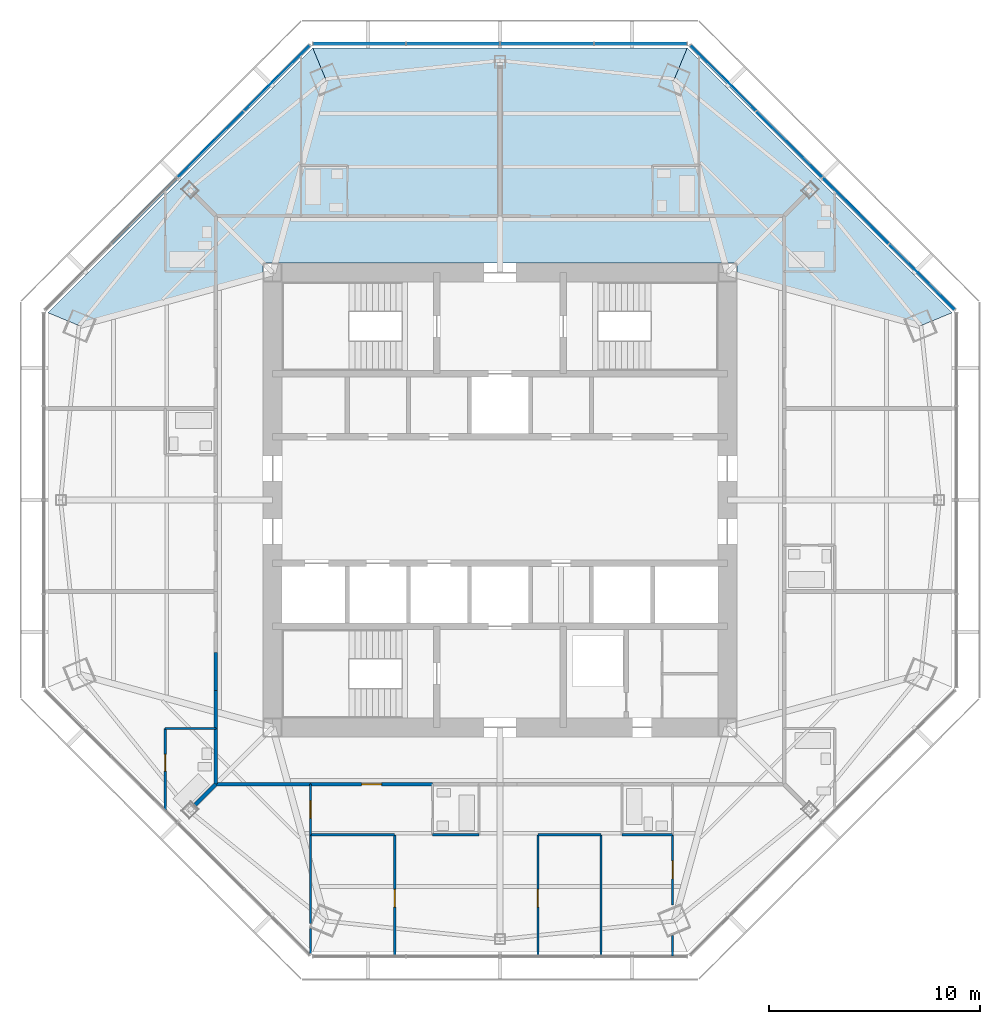
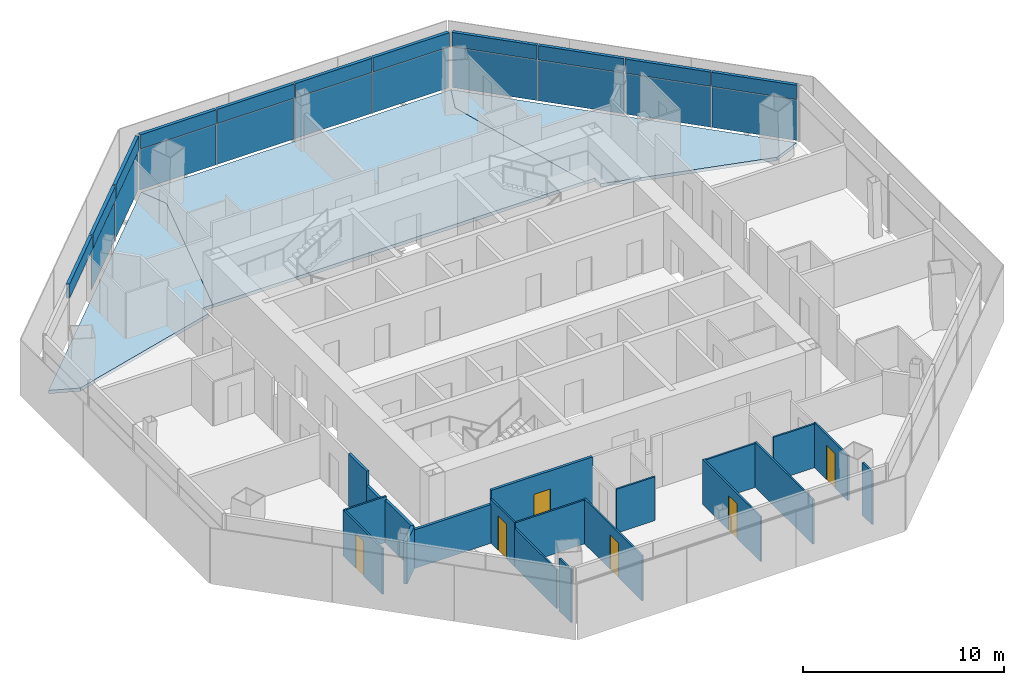
# One storey, part 8 of 15: 21 plates, 20 walls, 6 doors, 3 slabs, 6 openings, 3 elements without a shape of their own.
"""IFC4 building model written with IfcOpenShell, lengths in metres."""

import ifcopenshell
import ifcopenshell.guid

model = None  # the IFC model being written
_history = None  # IfcOwnerHistory: only IFC2X3 demands one
_inside = {}  # id of a spatial element -> (the spatial element, [elements in it])
_under = {}  # id of a project, library or spatial element -> (it, [spatial elements below it])
_declared = {}  # id of a project -> (the project, [libraries it declares])
_typed = {}  # id of a type object -> (the type object, [elements of that type])
_made_of = {}  # id of a material, layer set ... -> (it, [elements and type objects made of it])


def new_model(schema):
    """Start an empty IFC model of exactly this schema.

    Asked for "IFC4X3", IfcOpenShell would pick the latest addendum, in which some entities
    have other attributes; the version numbers below select the first issue.
    IFC2X3 requires an IfcOwnerHistory on every rooted entity: one is made here for all.
    """
    global model, _history
    if schema == "IFC4X3":
        model = ifcopenshell.file(schema_version=(4, 3, 0, 0))
    else:
        model = ifcopenshell.file(schema=schema)
    _inside.clear()
    _under.clear()
    _declared.clear()
    _typed.clear()
    _made_of.clear()
    _history = None
    if model.schema == "IFC2X3":
        org = make("IfcOrganization", Name="unknown")
        user = make(
            "IfcPersonAndOrganization",
            ThePerson=make("IfcPerson", FamilyName="unknown"),
            TheOrganization=org,
        )
        app = make(
            "IfcApplication",
            ApplicationDeveloper=org,
            Version="unknown",
            ApplicationFullName="unknown",
            ApplicationIdentifier="unknown",
        )
        _history = make(
            "IfcOwnerHistory",
            OwningUser=user,
            OwningApplication=app,
            ChangeAction="ADDED",
            CreationDate=0,
        )
    return model


def make(cls, **values):
    """One entity of the class cls with the attributes given. An attribute that is None is left unset."""
    return model.create_entity(
        cls, **{name: value for name, value in values.items() if value is not None}
    )


def rooted(cls, **values):
    """An entity with a GlobalId (a new one), such as an element, a storey or a relation."""
    return make(cls, GlobalId=ifcopenshell.guid.new(), OwnerHistory=_history, **values)


def si_unit(unit_type, name, prefix=None):
    """IfcSIUnit, for example si_unit("LENGTHUNIT", "METRE", prefix="MILLI")."""
    return make("IfcSIUnit", UnitType=unit_type, Prefix=prefix, Name=name)


def assignment(units):
    """IfcUnitAssignment: the units of a project."""
    return None if units is None else make("IfcUnitAssignment", Units=units)


def point(xyz):
    """IfcCartesianPoint."""
    return None if xyz is None else make("IfcCartesianPoint", Coordinates=xyz)


def direction(xyz):
    """IfcDirection."""
    return None if xyz is None else make("IfcDirection", DirectionRatios=xyz)


def frame(location, z_axis=None, x_axis=None):
    """IfcAxis2Placement3D, a coordinate frame: its origin and axes. An axis left out is left unset."""
    return make(
        "IfcAxis2Placement3D",
        Location=point(location),
        Axis=direction(z_axis),
        RefDirection=direction(x_axis),
    )


def frame_2d(location, x_axis=None):
    """IfcAxis2Placement2D, a coordinate frame in the plane: its origin and x axis."""
    return make(
        "IfcAxis2Placement2D", Location=point(location), RefDirection=direction(x_axis)
    )


def origin():
    """The frame at (0, 0, 0) with its axes left unset."""
    return frame((0.0, 0.0, 0.0))


def origin_2d():
    """The frame at (0, 0) in the plane with its x axis left unset."""
    return frame_2d((0.0, 0.0))


def place(relative_to, where):
    """IfcLocalPlacement: puts the frame where relative to a parent placement (None: the world)."""
    return make(
        "IfcLocalPlacement", PlacementRelTo=relative_to, RelativePlacement=where
    )


def context(
    kind, dimensions, precision=None, world=None, true_north=None, identifier=None
):
    """IfcGeometricRepresentationContext, for example the 3D "Model" context."""
    return make(
        "IfcGeometricRepresentationContext",
        ContextIdentifier=identifier,
        ContextType=kind,
        CoordinateSpaceDimension=dimensions,
        Precision=precision,
        WorldCoordinateSystem=world,
        TrueNorth=true_north,
    )


def subcontext(parent, identifier, kind, view, scale=None):
    """IfcGeometricRepresentationSubContext, for example "Body" below "Model"."""
    return make(
        "IfcGeometricRepresentationSubContext",
        ContextIdentifier=identifier,
        ContextType=kind,
        ParentContext=parent,
        TargetScale=scale,
        TargetView=view,
    )


def project(units=None, contexts=None):
    """IfcProject with its units and contexts."""
    return rooted(
        "IfcProject",
        Name="project",
        RepresentationContexts=contexts,
        UnitsInContext=assignment(units),
    )


def spatial(cls, under=None, at=None, **own):
    """A site, building, storey or space (cls), placed at a placement, below another one or the project."""
    s = rooted(cls, ObjectPlacement=at, **own)
    if under is not None:
        _under.setdefault(under.id(), (under, []))[1].append(s)
    return s


def polyline(points):
    """IfcPolyline through the points."""
    return make("IfcPolyline", Points=[point(p) for p in points])


def profile(cls, at=None, kind="AREA", **sizes):
    """A parametric profile (cls). Its sizes go by their IFC names, for example OverallWidth=200.0."""
    return make(cls, ProfileType=kind, Position=at, **sizes)


def rectangle(**sizes):
    """IfcRectangleProfileDef."""
    return profile("IfcRectangleProfileDef", **sizes)


def outline(outer, holes=None, kind="AREA"):
    """IfcArbitraryClosedProfileDef: a profile drawn as a closed curve; with holes, ...WithVoids."""
    if holes is None:
        return make("IfcArbitraryClosedProfileDef", ProfileType=kind, OuterCurve=outer)
    return make(
        "IfcArbitraryProfileDefWithVoids",
        ProfileType=kind,
        OuterCurve=outer,
        InnerCurves=holes,
    )


def extrude(swept, where, along, depth):
    """IfcExtrudedAreaSolid: the profile swept, set in the frame where, extruded along a direction by depth."""
    return make(
        "IfcExtrudedAreaSolid",
        SweptArea=swept,
        Position=where,
        ExtrudedDirection=direction(along),
        Depth=depth,
    )


def shape(context_of_items, identifier, shape_type, items):
    """IfcShapeRepresentation: the items that make up one representation, for example the "Body"."""
    return make(
        "IfcShapeRepresentation",
        ContextOfItems=context_of_items,
        RepresentationIdentifier=identifier,
        RepresentationType=shape_type,
        Items=items,
    )


def source(mapping_origin, context_of_items, identifier, shape_type, items):
    """IfcRepresentationMap: a shape defined once, which mapped items show again and again."""
    return make(
        "IfcRepresentationMap",
        MappingOrigin=mapping_origin,
        MappedRepresentation=shape(context_of_items, identifier, shape_type, items),
    )


def transform(
    local_origin,
    x_axis=None,
    y_axis=None,
    z_axis=None,
    scale=None,
    scale2=None,
    scale3=None,
    uniform=True,
):
    """IfcCartesianTransformationOperator3D, or its non-uniform kind. x_axis, y_axis, z_axis: its Axis1, 2, 3."""
    if uniform:
        return make(
            "IfcCartesianTransformationOperator3D",
            Axis1=direction(x_axis),
            Axis2=direction(y_axis),
            LocalOrigin=point(local_origin),
            Scale=scale,
            Axis3=direction(z_axis),
        )
    return make(
        "IfcCartesianTransformationOperator3DnonUniform",
        Axis1=direction(x_axis),
        Axis2=direction(y_axis),
        LocalOrigin=point(local_origin),
        Scale=scale,
        Axis3=direction(z_axis),
        Scale2=scale2,
        Scale3=scale3,
    )


def mapped(mapping_source, mapping_target):
    """IfcMappedItem: shows the shape of a source again, moved by a transform."""
    return make(
        "IfcMappedItem", MappingSource=mapping_source, MappingTarget=mapping_target
    )


def material(Name=None, Category=None):
    """IfcMaterial."""
    return make("IfcMaterial", Name=Name, Category=Category)


def layer(
    of_material, thickness, ventilated=None, Name=None, Category=None, Priority=None
):
    """IfcMaterialLayer: one layer of a wall or slab, of a material (None: an air gap)."""
    return make(
        "IfcMaterialLayer",
        Material=of_material,
        LayerThickness=thickness,
        IsVentilated=ventilated,
        Name=Name,
        Category=Category,
        Priority=Priority,
    )


def layer_set(layers, Name=None):
    """IfcMaterialLayerSet."""
    return make("IfcMaterialLayerSet", MaterialLayers=layers, LayerSetName=Name)


def made_of(thing, what):
    """Note that an element or type object is made of a material, layer set ...; save() writes the relation."""
    if what is not None:
        _made_of.setdefault(what.id(), (what, []))[1].append(thing)
    return thing


def type_object(cls, material=None, **own):
    """A type object (cls), such as IfcWallType, which elements share."""
    return made_of(rooted(cls, **own), material)


def type_shapes(of_type, sources):
    """Give a type object the sources (RepresentationMaps) that its elements show as mapped items."""
    of_type.RepresentationMaps = sources


def element(
    cls,
    number,
    at=None,
    inside=None,
    cuts=None,
    type_object=None,
    material=None,
    context=None,
    identifier="Body",
    shape_type=None,
    held_by="IfcProductDefinitionShape",
    body=None,
    shapes=None,
    **own,
):
    """One element of the class cls, such as IfcWall. Its Tag is "e" and its number.

    at: its placement. inside: the storey or other place that contains it. cuts: it is an
    opening in that element (IfcRelVoidsElement). A single representation is given by context,
    identifier, shape_type and body (its items); several are given by shapes. held_by: the class
    of the entity that holds the representations. save() writes the other relations.
    """
    e = rooted(cls, Tag="e%d" % number, ObjectPlacement=at, **own)
    if body is not None:
        shapes = [shape(context, identifier, shape_type, body)]
    if shapes is not None:
        e.Representation = make(held_by, Representations=shapes)
    if inside is not None:
        _inside.setdefault(inside.id(), (inside, []))[1].append(e)
    if cuts is not None:
        rooted(
            "IfcRelVoidsElement", RelatingBuildingElement=cuts, RelatedOpeningElement=e
        )
    if type_object is not None:
        _typed.setdefault(type_object.id(), (type_object, []))[1].append(e)
    return made_of(e, material)


def fill(opening, filler):
    """IfcRelFillsElement: the door or window that sits in an opening."""
    return rooted(
        "IfcRelFillsElement",
        RelatingOpeningElement=opening,
        RelatedBuildingElement=filler,
    )


def aggregate(whole, parts):
    """IfcRelAggregates: a whole, such as a stair, and the parts it consists of."""
    return rooted("IfcRelAggregates", RelatingObject=whole, RelatedObjects=parts)


def save(model, path):
    """Write the relations noted so far, then the file.

    IfcRelAggregates (storeys below a building ...), IfcRelContainedInSpatialStructure (elements
    in a storey), IfcRelDefinesByType, IfcRelAssociatesMaterial and IfcRelDeclares: one each for
    every whole, place, type object, material and project.
    """
    for whole, parts in _under.values():
        aggregate(whole, parts)
    for where, things in _inside.values():
        rooted(
            "IfcRelContainedInSpatialStructure",
            RelatedElements=things,
            RelatingStructure=where,
        )
    for kind, things in _typed.values():
        rooted("IfcRelDefinesByType", RelatedObjects=things, RelatingType=kind)
    for what, things in _made_of.values():
        rooted("IfcRelAssociatesMaterial", RelatedObjects=things, RelatingMaterial=what)
    for by, libraries in _declared.values():
        rooted("IfcRelDeclares", RelatingContext=by, RelatedDefinitions=libraries)
    model.write(path)


model = new_model("IFC4")

# Units and contexts
model_context = context("Model", 3, precision=1e-05, world=origin(), true_north=direction((0.0, 1.0)))
body_context = subcontext(model_context, "Body", "Model", "MODEL_VIEW")
ifc_project = project(units=[si_unit("LENGTHUNIT", "METRE"), si_unit("AREAUNIT", "SQUARE_METRE"), si_unit("VOLUMEUNIT", "CUBIC_METRE"), si_unit("PLANEANGLEUNIT", "RADIAN"), si_unit("MASSUNIT", "GRAM", prefix="KILO")], contexts=[model_context])

# Site, building, storey
site_placement = place(None, origin())
site = spatial("IfcSite", under=ifc_project, at=site_placement, CompositionType="ELEMENT")
building_placement = place(site_placement, origin())
building = spatial("IfcBuilding", under=site, at=building_placement, Name="Mashrafa Tower", CompositionType="ELEMENT")
storey_placement = place(building_placement, frame((0.0, 0.0, 224.39990234375)))
storey = spatial("IfcBuildingStorey", under=building, at=storey_placement, Name="L52", CompositionType="ELEMENT", Elevation=224.39990234375)

# Slabs
ifc_material_1 = material(Name="Concrete C35/45", Category="concrete")
ifc_layer_1 = layer(ifc_material_1, 0.199951171875)
ifc_layer_set_1 = layer_set([ifc_layer_1], Name="Floor slab 200")
slab_type = type_object("IfcSlabType", Name="Floor slab 200", PredefinedType="FLOOR", material=ifc_layer_set_1)
slab_1_placement = place(storey_placement, frame((0.0, 0.0, -0.199951171875)))
element("IfcSlab", 1, at=slab_1_placement, inside=storey, type_object=slab_type, Name="Floor slab L52 north-east bay", PredefinedType="FLOOR", context=body_context, shape_type="SweptSolid", body=[
    extrude(outline(polyline([(21.466796875, 8.891845703125), (19.994140625, 8.281982421875), (11.25, 10.6767578125), (11.25, 11.25), (10.6767578125, 11.25), (8.281982421875, 19.994140625), (8.891845703125, 21.466796875), (21.466796875, 8.891845703125)])), origin(), (0.0, 0.0, 1.0), 0.199951171875),
])
slab_2_placement = place(storey_placement, frame((0.0, 0.0, -0.199951171875)))
element("IfcSlab", 2, at=slab_2_placement, inside=storey, type_object=slab_type, Name="Floor slab L52 north bay", PredefinedType="FLOOR", context=body_context, shape_type="SweptSolid", body=[
    extrude(outline(polyline([(-8.891845703125, 21.466796875), (8.891845703125, 21.466796875), (8.891845703125, 21.466796875), (8.281982421875, 19.994140625), (10.6767578125, 11.25), (-10.6767578125, 11.25), (-8.281982421875, 19.994140625), (-8.891845703125, 21.466796875), (-8.891845703125, 21.466796875)])), origin(), (0.0, 0.0, 1.0), 0.199951171875),
])
slab_3_placement = place(storey_placement, frame((0.0, 0.0, -0.199951171875)))
element("IfcSlab", 3, at=slab_3_placement, inside=storey, type_object=slab_type, Name="Floor slab L52 north-west bay", PredefinedType="FLOOR", context=body_context, shape_type="SweptSolid", body=[
    extrude(outline(polyline([(-8.891845703125, 21.466796875), (-8.281982421875, 19.994140625), (-10.6767578125, 11.25), (-11.25, 11.25), (-11.25, 10.6767578125), (-19.994140625, 8.281982421875), (-21.466796875, 8.891845703125), (-8.891845703125, 21.466796875)])), origin(), (0.0, 0.0, 1.0), 0.199951171875),
])

# Curtain wall, plates
ifc_material_2 = material(Name="Unitised aluminium curtain wall", Category="aluminium")
curtain_wall_type = type_object("IfcCurtainWallType", Name="Apartment curtain wall, zone 3 CW-C 180 deep", PredefinedType="NOTDEFINED", material=ifc_material_2)
curtain_wall_1_placement = place(storey_placement, origin())
curtain_wall_1 = element("IfcCurtainWall", 4, at=curtain_wall_1_placement, inside=storey, type_object=curtain_wall_type, Name="Apartment curtain wall, zone 3 L52 north-east", PredefinedType="NOTDEFINED")
ifc_material_3 = material(Name="Insulated double glazing, acoustic", Category="glass")
ifc_layer_2 = layer(ifc_material_3, 0.028076171875)
ifc_layer_set_2 = layer_set([ifc_layer_2], Name="Vision panel CW-C 28")
plate_type_1 = type_object("IfcPlateType", Name="Vision panel CW-C 28", PredefinedType="CURTAIN_PANEL", material=ifc_layer_set_2)
shared_shape_1 = source(origin(), body_context, "Body", "SweptSolid", [
    extrude(rectangle(XDim=4.373779296875, YDim=0.028076171875, at=origin_2d()), origin(), (0.0, 0.0, 1.0), 2.46240234375),
])
plate_1_placement = place(storey_placement, frame((20.044677734375, 10.596923828125, 0.000244140625), z_axis=(0.0, 0.0, 1.0), x_axis=(-0.707106781187, 0.707106781187, 0.0)))
plate_1 = element("IfcPlate", 5, at=plate_1_placement, type_object=plate_type_1, Name="CW-C vision panel 1", PredefinedType="CURTAIN_PANEL", context=body_context, shape_type="MappedRepresentation", body=[
    mapped(shared_shape_1, transform((0.0, 0.0, 0.0))),
])
plate_2_placement = place(storey_placement, frame((10.596923828125, 20.044677734375, 0.000244140625), z_axis=(0.0, 0.0, 1.0), x_axis=(-0.707106781187, 0.707106781187, 0.0)))
plate_2 = element("IfcPlate", 6, at=plate_2_placement, type_object=plate_type_1, Name="CW-C vision panel 4", PredefinedType="CURTAIN_PANEL", context=body_context, shape_type="MappedRepresentation", body=[
    mapped(shared_shape_1, transform((0.0, 0.0, 0.0))),
])

curtain_wall_2_placement = place(storey_placement, origin())
curtain_wall_2 = element("IfcCurtainWall", 7, at=curtain_wall_2_placement, inside=storey, type_object=curtain_wall_type, Name="Apartment curtain wall, zone 3 L52 north", PredefinedType="NOTDEFINED")
plate_3_placement = place(storey_placement, frame((6.680419921875, 21.666748046875, 0.000244140625), z_axis=(0.0, 0.0, 1.0), x_axis=(-1.0, 0.0, 0.0)))
plate_3 = element("IfcPlate", 8, at=plate_3_placement, type_object=plate_type_1, Name="CW-C vision panel 1", PredefinedType="CURTAIN_PANEL", context=body_context, shape_type="MappedRepresentation", body=[
    mapped(shared_shape_1, transform((0.0, 0.0, 0.0))),
])
plate_4_placement = place(storey_placement, frame((-6.680419921875, 21.666748046875, 0.000244140625), z_axis=(0.0, 0.0, 1.0), x_axis=(-1.0, 0.0, 0.0)))
plate_4 = element("IfcPlate", 9, at=plate_4_placement, type_object=plate_type_1, Name="CW-C vision panel 4", PredefinedType="CURTAIN_PANEL", context=body_context, shape_type="MappedRepresentation", body=[
    mapped(shared_shape_1, transform((0.0, 0.0, 0.0))),
])

# Curtain wall, plate
curtain_wall_3_placement = place(storey_placement, origin())
curtain_wall_3 = element("IfcCurtainWall", 10, at=curtain_wall_3_placement, inside=storey, type_object=curtain_wall_type, Name="Apartment curtain wall, zone 3 L52 north-west", PredefinedType="NOTDEFINED")
plate_5_placement = place(storey_placement, frame((-10.596923828125, 20.044677734375, 0.000244140625), z_axis=(0.0, 0.0, 1.0), x_axis=(-0.707106781187, -0.707106781187, 0.0)))
plate_5 = element("IfcPlate", 11, at=plate_5_placement, type_object=plate_type_1, Name="CW-C vision panel 1", PredefinedType="CURTAIN_PANEL", context=body_context, shape_type="MappedRepresentation", body=[
    mapped(shared_shape_1, transform((0.0, 0.0, 0.0))),
])

# Plate
ifc_material_4 = material(Name="Insulated bronze aluminium spandrel panel", Category="aluminium")
ifc_layer_3 = layer(ifc_material_4, 0.179931640625)
ifc_layer_set_3 = layer_set([ifc_layer_3], Name="Spandrel panel CW-C 180")
plate_type_2 = type_object("IfcPlateType", Name="Spandrel panel CW-C 180", PredefinedType="CURTAIN_PANEL", material=ifc_layer_set_3)
shared_shape_2 = source(origin(), body_context, "Body", "SweptSolid", [
    extrude(rectangle(XDim=4.373779296875, YDim=0.179931640625, at=origin_2d()), origin(), (0.0, 0.0, 1.0), 0.862548828125),
])
plate_6_placement = place(storey_placement, frame((20.044677734375, 10.596923828125, 2.53759765625), z_axis=(0.0, 0.0, 1.0), x_axis=(-0.707106781187, 0.707106781187, 0.0)))
plate_6 = element("IfcPlate", 12, at=plate_6_placement, type_object=plate_type_2, Name="CW-C spandrel panel 1", PredefinedType="CURTAIN_PANEL", context=body_context, shape_type="MappedRepresentation", body=[
    mapped(shared_shape_2, transform((0.0, 0.0, 0.0))),
])

plate_7_placement = place(storey_placement, frame((10.596923828125, 20.044677734375, 2.53759765625), z_axis=(0.0, 0.0, 1.0), x_axis=(-0.707106781187, 0.707106781187, 0.0)))
plate_7 = element("IfcPlate", 13, at=plate_7_placement, type_object=plate_type_2, Name="CW-C spandrel panel 4", PredefinedType="CURTAIN_PANEL", context=body_context, shape_type="MappedRepresentation", body=[
    mapped(shared_shape_2, transform((0.0, 0.0, 0.0))),
])

plate_8_placement = place(storey_placement, frame((6.680419921875, 21.666748046875, 2.53759765625), z_axis=(0.0, 0.0, 1.0), x_axis=(-1.0, 0.0, 0.0)))
plate_8 = element("IfcPlate", 14, at=plate_8_placement, type_object=plate_type_2, Name="CW-C spandrel panel 1", PredefinedType="CURTAIN_PANEL", context=body_context, shape_type="MappedRepresentation", body=[
    mapped(shared_shape_2, transform((0.0, 0.0, 0.0))),
])

plate_9_placement = place(storey_placement, frame((-6.680419921875, 21.666748046875, 2.53759765625), z_axis=(0.0, 0.0, 1.0), x_axis=(-1.0, 0.0, 0.0)))
plate_9 = element("IfcPlate", 15, at=plate_9_placement, type_object=plate_type_2, Name="CW-C spandrel panel 4", PredefinedType="CURTAIN_PANEL", context=body_context, shape_type="MappedRepresentation", body=[
    mapped(shared_shape_2, transform((0.0, 0.0, 0.0))),
])

plate_10_placement = place(storey_placement, frame((-10.596923828125, 20.044677734375, 2.53759765625), z_axis=(0.0, 0.0, 1.0), x_axis=(-0.707106781187, -0.707106781187, 0.0)))
plate_10 = element("IfcPlate", 16, at=plate_10_placement, type_object=plate_type_2, Name="CW-C spandrel panel 1", PredefinedType="CURTAIN_PANEL", context=body_context, shape_type="MappedRepresentation", body=[
    mapped(shared_shape_2, transform((0.0, 0.0, 0.0))),
])

shared_shape_3 = source(origin(), body_context, "Body", "SweptSolid", [
    extrude(rectangle(XDim=4.40380859375, YDim=0.028076171875, at=origin_2d()), origin(), (0.0, 0.0, 1.0), 2.46240234375),
])
type_shapes(plate_type_1, [shared_shape_1, shared_shape_3])
plate_11_placement = place(storey_placement, frame((16.89892578125, 13.74267578125, 0.000244140625), z_axis=(0.0, 0.0, 1.0), x_axis=(-0.707106781187, 0.707106781187, 0.0)))
plate_11 = element("IfcPlate", 17, at=plate_11_placement, type_object=plate_type_1, Name="CW-C vision panel 2", PredefinedType="CURTAIN_PANEL", context=body_context, shape_type="MappedRepresentation", body=[
    mapped(shared_shape_3, transform((0.0, 0.0, 0.0))),
])

plate_12_placement = place(storey_placement, frame((13.74267578125, 16.89892578125, 0.000244140625), z_axis=(0.0, 0.0, 1.0), x_axis=(-0.707106781187, 0.707106781187, 0.0)))
plate_12 = element("IfcPlate", 18, at=plate_12_placement, type_object=plate_type_1, Name="CW-C vision panel 3", PredefinedType="CURTAIN_PANEL", context=body_context, shape_type="MappedRepresentation", body=[
    mapped(shared_shape_3, transform((0.0, 0.0, 0.0))),
])

plate_13_placement = place(storey_placement, frame((2.23193359375, 21.666748046875, 0.000244140625), z_axis=(0.0, 0.0, 1.0), x_axis=(-1.0, 0.0, 0.0)))
plate_13 = element("IfcPlate", 19, at=plate_13_placement, type_object=plate_type_1, Name="CW-C vision panel 2", PredefinedType="CURTAIN_PANEL", context=body_context, shape_type="MappedRepresentation", body=[
    mapped(shared_shape_3, transform((0.0, 0.0, 0.0))),
])

plate_14_placement = place(storey_placement, frame((-2.23193359375, 21.666748046875, 0.000244140625), z_axis=(0.0, 0.0, 1.0), x_axis=(-1.0, 0.0, 0.0)))
plate_14 = element("IfcPlate", 20, at=plate_14_placement, type_object=plate_type_1, Name="CW-C vision panel 3", PredefinedType="CURTAIN_PANEL", context=body_context, shape_type="MappedRepresentation", body=[
    mapped(shared_shape_3, transform((0.0, 0.0, 0.0))),
])

plate_15_placement = place(storey_placement, frame((-13.74267578125, 16.89892578125, 0.000244140625), z_axis=(0.0, 0.0, 1.0), x_axis=(-0.707106781187, -0.707106781187, 0.0)))
plate_15 = element("IfcPlate", 21, at=plate_15_placement, type_object=plate_type_1, Name="CW-C vision panel 2", PredefinedType="CURTAIN_PANEL", context=body_context, shape_type="MappedRepresentation", body=[
    mapped(shared_shape_3, transform((0.0, 0.0, 0.0))),
])

shared_shape_4 = source(origin(), body_context, "Body", "SweptSolid", [
    extrude(rectangle(XDim=4.40380859375, YDim=0.179931640625, at=origin_2d()), origin(), (0.0, 0.0, 1.0), 0.862548828125),
])
type_shapes(plate_type_2, [shared_shape_2, shared_shape_4])
plate_16_placement = place(storey_placement, frame((16.89892578125, 13.74267578125, 2.53759765625), z_axis=(0.0, 0.0, 1.0), x_axis=(-0.707106781187, 0.707106781187, 0.0)))
plate_16 = element("IfcPlate", 22, at=plate_16_placement, type_object=plate_type_2, Name="CW-C spandrel panel 2", PredefinedType="CURTAIN_PANEL", context=body_context, shape_type="MappedRepresentation", body=[
    mapped(shared_shape_4, transform((0.0, 0.0, 0.0))),
])

plate_17_placement = place(storey_placement, frame((13.74267578125, 16.89892578125, 2.53759765625), z_axis=(0.0, 0.0, 1.0), x_axis=(-0.707106781187, 0.707106781187, 0.0)))
plate_17 = element("IfcPlate", 23, at=plate_17_placement, type_object=plate_type_2, Name="CW-C spandrel panel 3", PredefinedType="CURTAIN_PANEL", context=body_context, shape_type="MappedRepresentation", body=[
    mapped(shared_shape_4, transform((0.0, 0.0, 0.0))),
])

aggregate(curtain_wall_1, [plate_1, plate_6, plate_11, plate_16, plate_12, plate_17, plate_2, plate_7])

plate_18_placement = place(storey_placement, frame((2.23193359375, 21.666748046875, 2.53759765625), z_axis=(0.0, 0.0, 1.0), x_axis=(-1.0, 0.0, 0.0)))
plate_18 = element("IfcPlate", 24, at=plate_18_placement, type_object=plate_type_2, Name="CW-C spandrel panel 2", PredefinedType="CURTAIN_PANEL", context=body_context, shape_type="MappedRepresentation", body=[
    mapped(shared_shape_4, transform((0.0, 0.0, 0.0))),
])

plate_19_placement = place(storey_placement, frame((-2.23193359375, 21.666748046875, 2.53759765625), z_axis=(0.0, 0.0, 1.0), x_axis=(-1.0, 0.0, 0.0)))
plate_19 = element("IfcPlate", 25, at=plate_19_placement, type_object=plate_type_2, Name="CW-C spandrel panel 3", PredefinedType="CURTAIN_PANEL", context=body_context, shape_type="MappedRepresentation", body=[
    mapped(shared_shape_4, transform((0.0, 0.0, 0.0))),
])

aggregate(curtain_wall_2, [plate_3, plate_8, plate_13, plate_18, plate_14, plate_19, plate_4, plate_9])

plate_20_placement = place(storey_placement, frame((-13.74267578125, 16.89892578125, 2.53759765625), z_axis=(0.0, 0.0, 1.0), x_axis=(-0.707106781187, -0.707106781187, 0.0)))
plate_20 = element("IfcPlate", 26, at=plate_20_placement, type_object=plate_type_2, Name="CW-C spandrel panel 2", PredefinedType="CURTAIN_PANEL", context=body_context, shape_type="MappedRepresentation", body=[
    mapped(shared_shape_4, transform((0.0, 0.0, 0.0))),
])

plate_21_placement = place(storey_placement, frame((-16.89892578125, 13.74267578125, 2.53759765625), z_axis=(0.0, 0.0, 1.0), x_axis=(-0.707106781187, -0.707106781187, 0.0)))
plate_21 = element("IfcPlate", 27, at=plate_21_placement, type_object=plate_type_2, Name="CW-C spandrel panel 3", PredefinedType="CURTAIN_PANEL", context=body_context, shape_type="MappedRepresentation", body=[
    mapped(shared_shape_4, transform((0.0, 0.0, 0.0))),
])

aggregate(curtain_wall_3, [plate_5, plate_10, plate_15, plate_20, plate_21])

# Walls
ifc_material_5 = material(Name="Gypsum board on steel studs", Category="steel")
ifc_layer_4 = layer(ifc_material_5, 0.199951171875)
ifc_layer_set_4 = layer_set([ifc_layer_4], Name="Acoustic partition 200 1 hr")
wall_type_1 = type_object("IfcWallType", Name="Acoustic partition 200 1 hr", PredefinedType="PARTITIONING", material=ifc_layer_set_4)
wall_1_placement = place(storey_placement, frame((-14.49658203125, -14.49658203125, 0.0), z_axis=(0.0, 0.0, 1.0), x_axis=(0.707106781187, 0.707106781187, 0.0)))
element("IfcWall", 28, at=wall_1_placement, inside=storey, type_object=wall_type_1, Name="Acoustic wall L52-076", PredefinedType="PARTITIONING", context=body_context, shape_type="SweptSolid", body=[
    extrude(rectangle(XDim=1.409423828125, YDim=0.199951171875, at=frame_2d((0.70458984375, 0.0))), origin(), (0.0, 0.0, 1.0), 2.5830078125),
])
ifc_material_6 = material(Name="Gypsum board on steel studs", Category="steel")
ifc_layer_5 = layer(ifc_material_6, 0.14990234375)
ifc_layer_set_5 = layer_set([ifc_layer_5], Name="Corridor partition 150 1 hr")
wall_type_2 = type_object("IfcWallType", Name="Corridor partition 150 1 hr", PredefinedType="PARTITIONING", material=ifc_layer_set_5)
wall_2_placement = place(storey_placement, frame((-13.5, -10.84912109375, 0.0), z_axis=(0.0, 0.0, 1.0), x_axis=(0.0, -1.0, 0.0)))
element("IfcWall", 29, at=wall_2_placement, inside=storey, type_object=wall_type_2, Name="Corridor wall L52-033", PredefinedType="PARTITIONING", context=body_context, shape_type="SweptSolid", body=[
    extrude(rectangle(XDim=2.65087890625, YDim=0.14990234375, at=frame_2d((1.325439453125, 0.0))), origin(), (0.0, 0.0, 1.0), 2.5830078125),
])
wall_3_placement = place(storey_placement, frame((-13.5, -7.2490234375, 0.0), z_axis=(0.0, 0.0, 1.0), x_axis=(0.0, -1.0, 0.0)))
element("IfcWall", 30, at=wall_3_placement, inside=storey, type_object=wall_type_2, Name="Corridor wall L52-034", PredefinedType="PARTITIONING", context=body_context, shape_type="SweptSolid", body=[
    extrude(rectangle(XDim=1.802001953125, YDim=0.14990234375, at=frame_2d((0.90087890625, 0.0))), origin(), (0.0, 0.0, 1.0), 3.2001953125),
])
wall_4_placement = place(storey_placement, frame((-13.5, -9.049072265625, 0.0), z_axis=(0.0, 0.0, 1.0), x_axis=(0.0, -1.0, 0.0)))
element("IfcWall", 31, at=wall_4_placement, inside=storey, type_object=wall_type_2, Name="Corridor wall L52-035", PredefinedType="PARTITIONING", context=body_context, shape_type="SweptSolid", body=[
    extrude(rectangle(XDim=1.802001953125, YDim=0.14990234375, at=frame_2d((0.90087890625, 0.0))), origin(), (0.0, 0.0, 1.0), 2.34423828125),
])
wall_5_placement = place(storey_placement, frame((-13.5, -13.5, 0.0), z_axis=(0.0, 0.0, 1.0), x_axis=(1.0, 0.0, 0.0)))
element("IfcWall", 32, at=wall_5_placement, inside=storey, type_object=wall_type_2, Name="Corridor wall L52-037", PredefinedType="PARTITIONING", context=body_context, shape_type="SweptSolid", body=[
    extrude(rectangle(XDim=4.5009765625, YDim=0.14990234375, at=frame_2d((2.25048828125, 0.0))), origin(), (0.0, 0.0, 1.0), 2.34423828125),
])

# Wall, opening, door
wall_6_placement = place(storey_placement, frame((-9.0009765625, -13.5, 0.0), z_axis=(0.0, 0.0, 1.0), x_axis=(1.0, 0.0, 0.0)))
wall_6 = element("IfcWall", 33, at=wall_6_placement, inside=storey, type_object=wall_type_2, Name="Corridor wall L52-044", PredefinedType="PARTITIONING", context=body_context, shape_type="SweptSolid", body=[
    extrude(rectangle(XDim=5.802001953125, YDim=0.14990234375, at=frame_2d((2.90087890625, 0.0))), origin(), (0.0, 0.0, 1.0), 3.2001953125),
])
opening_1_placement = place(wall_6_placement, frame((2.426025390625, 0.0, 0.0)))
opening_1 = element("IfcOpeningElement", 34, at=opening_1_placement, cuts=wall_6, Name="Opening 52.024", PredefinedType="OPENING", context=body_context, shape_type="SweptSolid", body=[
    extrude(rectangle(XDim=0.949951171875, YDim=2.10009765625, at=frame_2d((0.47509765625, 1.050048828125))), frame((0.0, 0.0849609375, 0.0), z_axis=(0.0, -1.0, 0.0), x_axis=(1.0, 0.0, 0.0)), (0.0, 0.0, 1.0), 0.169921875),
])
ifc_material_7 = material(Name="Steel door", Category="steel")
door_type_1 = type_object("IfcDoorType", Name="Residence entrance door 950 x 2100 20 min", OperationType="USERDEFINED", PredefinedType="DOOR", material=ifc_material_7)
door_1_placement = place(opening_1_placement, frame((0.949951171875, 0.0, 0.0), z_axis=(0.0, 0.0, 1.0), x_axis=(-1.0, 0.0, 0.0)))
door_1 = element("IfcDoor", 35, at=door_1_placement, inside=storey, type_object=door_type_1, Name="Apartment 5209 Living Room door", OperationType="SINGLE_SWING_RIGHT", OverallHeight=2.10009765625, OverallWidth=0.949951171875, PredefinedType="DOOR", context=body_context, shape_type="SweptSolid", body=[
    extrude(rectangle(XDim=0.949951171875, YDim=2.10009765625, at=frame_2d((0.47509765625, 1.050048828125))), frame((0.0, 0.02490234375, 0.0), z_axis=(0.0, -1.0, 0.0), x_axis=(1.0, 0.0, 0.0)), (0.0, 0.0, 1.0), 0.050048828125),
])
fill(opening_1, door_1)

# Wall
ifc_material_8 = material(Name="Gypsum board on steel studs", Category="steel")
ifc_layer_6 = layer(ifc_material_8, 0.10009765625)
ifc_layer_set_6 = layer_set([ifc_layer_6], Name="Partition 100")
wall_type_3 = type_object("IfcWallType", Name="Partition 100", PredefinedType="PARTITIONING", material=ifc_layer_set_6)
wall_7_placement = place(storey_placement, frame((-13.5, -10.85009765625, 0.0), z_axis=(0.0, 0.0, 1.0), x_axis=(-1.0, 0.0, 0.0)))
element("IfcWall", 36, at=wall_7_placement, inside=storey, type_object=wall_type_3, Name="Partition wall L52-074", PredefinedType="PARTITIONING", context=body_context, shape_type="SweptSolid", body=[
    extrude(rectangle(XDim=2.39990234375, YDim=0.10009765625, at=frame_2d((1.199951171875, 0.0))), origin(), (0.0, 0.0, 1.0), 2.7861328125),
])

# Wall, opening, door
wall_8_placement = place(storey_placement, frame((-15.89990234375, -10.85009765625, 0.0), z_axis=(0.0, 0.0, 1.0), x_axis=(0.0, -1.0, 0.0)))
wall_8 = element("IfcWall", 37, at=wall_8_placement, inside=storey, type_object=wall_type_3, Name="Partition wall L52-075", PredefinedType="PARTITIONING", context=body_context, shape_type="SweptSolid", body=[
    extrude(rectangle(XDim=3.869384765625, YDim=0.10009765625, at=frame_2d((1.9345703125, 0.0))), origin(), (0.0, 0.0, 1.0), 2.78369140625),
])
opening_2_placement = place(wall_8_placement, frame((1.2275390625, 0.0, 0.0)))
opening_2 = element("IfcOpeningElement", 38, at=opening_2_placement, cuts=wall_8, Name="Opening 52.017", PredefinedType="OPENING", context=body_context, shape_type="SweptSolid", body=[
    extrude(rectangle(XDim=0.800048828125, YDim=2.10009765625, at=frame_2d((0.39990234375, 1.050048828125))), frame((0.0, 0.06005859375, 0.0), z_axis=(0.0, -1.0, 0.0), x_axis=(1.0, 0.0, 0.0)), (0.0, 0.0, 1.0), 0.1201171875),
])
ifc_material_9 = material(Name="Timber door", Category="wood")
door_type_2 = type_object("IfcDoorType", Name="Bathroom door 800 x 2100", OperationType="USERDEFINED", PredefinedType="DOOR", material=ifc_material_9)
door_2_placement = place(opening_2_placement, origin())
door_2 = element("IfcDoor", 39, at=door_2_placement, inside=storey, type_object=door_type_2, Name="Apartment 5208 Bathroom door", OperationType="SINGLE_SWING_LEFT", OverallHeight=2.10009765625, OverallWidth=0.800048828125, PredefinedType="DOOR", context=body_context, shape_type="SweptSolid", body=[
    extrude(rectangle(XDim=0.800048828125, YDim=2.10009765625, at=frame_2d((0.39990234375, 1.050048828125))), frame((0.0, 0.02490234375, 0.0), z_axis=(0.0, -1.0, 0.0), x_axis=(1.0, 0.0, 0.0)), (0.0, 0.0, 1.0), 0.050048828125),
])
fill(opening_2, door_2)

# Walls
wall_9_placement = place(storey_placement, frame((-9.0, -21.536376953125, 0.0), z_axis=(0.0, 0.0, 1.0), x_axis=(0.0, 1.0, 0.0)))
element("IfcWall", 40, at=wall_9_placement, inside=storey, type_object=wall_type_3, Name="Partition wall L52-077", PredefinedType="PARTITIONING", context=body_context, shape_type="SweptSolid", body=[
    extrude(rectangle(XDim=1.176025390625, YDim=0.10009765625, at=frame_2d((0.587890625, 0.0))), origin(), (0.0, 0.0, 1.0), 3.2001953125),
])
wall_10_placement = place(storey_placement, frame((-9.0, -20.1103515625, 0.0), z_axis=(0.0, 0.0, 1.0), x_axis=(0.0, 1.0, 0.0)))
element("IfcWall", 41, at=wall_10_placement, inside=storey, type_object=wall_type_3, Name="Partition wall L52-078", PredefinedType="PARTITIONING", context=body_context, shape_type="SweptSolid", body=[
    extrude(rectangle(XDim=4.21142578125, YDim=0.10009765625, at=frame_2d((2.105712890625, 0.0))), origin(), (0.0, 0.0, 1.0), 2.34423828125),
])

# Wall, opening, door
wall_11_placement = place(storey_placement, frame((-9.0, -15.90087890625, 0.0), z_axis=(0.0, 0.0, 1.0), x_axis=(0.0, 1.0, 0.0)))
wall_11 = element("IfcWall", 42, at=wall_11_placement, inside=storey, type_object=wall_type_3, Name="Partition wall L52-079", PredefinedType="PARTITIONING", context=body_context, shape_type="SweptSolid", body=[
    extrude(rectangle(XDim=2.40087890625, YDim=0.10009765625, at=frame_2d((1.200439453125, 0.0))), origin(), (0.0, 0.0, 1.0), 2.664306640625),
])
opening_3_placement = place(wall_11_placement, frame((0.775390625, 0.0, 0.0)))
opening_3 = element("IfcOpeningElement", 43, at=opening_3_placement, cuts=wall_11, Name="Opening 52.019", PredefinedType="OPENING", context=body_context, shape_type="SweptSolid", body=[
    extrude(rectangle(XDim=0.85009765625, YDim=2.10009765625, at=frame_2d((0.425048828125, 1.050048828125))), frame((0.0, 0.06005859375, 0.0), z_axis=(0.0, -1.0, 0.0), x_axis=(1.0, 0.0, 0.0)), (0.0, 0.0, 1.0), 0.1201171875),
])
ifc_material_10 = material(Name="Timber door", Category="wood")
door_type_3 = type_object("IfcDoorType", Name="Bedroom door 850 x 2100", OperationType="USERDEFINED", PredefinedType="DOOR", material=ifc_material_10)
door_3_placement = place(opening_3_placement, origin())
door_3 = element("IfcDoor", 44, at=door_3_placement, inside=storey, type_object=door_type_3, Name="Apartment 5209 Bedroom 1 door", OperationType="SINGLE_SWING_RIGHT", OverallHeight=2.10009765625, OverallWidth=0.85009765625, PredefinedType="DOOR", context=body_context, shape_type="SweptSolid", body=[
    extrude(rectangle(XDim=0.85009765625, YDim=2.10009765625, at=frame_2d((0.425048828125, 1.050048828125))), frame((0.0, 0.02490234375, 0.0), z_axis=(0.0, -1.0, 0.0), x_axis=(1.0, 0.0, 0.0)), (0.0, 0.0, 1.0), 0.050048828125),
])
fill(opening_3, door_3)

wall_12_placement = place(storey_placement, frame((-5.0, -21.65087890625, 0.0), z_axis=(0.0, 0.0, 1.0), x_axis=(0.0, 1.0, 0.0)))
wall_12 = element("IfcWall", 45, at=wall_12_placement, inside=storey, type_object=wall_type_3, Name="Partition wall L52-080", PredefinedType="PARTITIONING", context=body_context, shape_type="SweptSolid", body=[
    extrude(rectangle(XDim=5.7509765625, YDim=0.10009765625, at=frame_2d((2.87548828125, 0.0))), origin(), (0.0, 0.0, 1.0), 2.73046875),
])
opening_4_placement = place(wall_12_placement, frame((2.3125, 0.0, 0.0)))
opening_4 = element("IfcOpeningElement", 46, at=opening_4_placement, cuts=wall_12, Name="Opening 52.020", PredefinedType="OPENING", context=body_context, shape_type="SweptSolid", body=[
    extrude(rectangle(XDim=0.85009765625, YDim=2.10009765625, at=frame_2d((0.425048828125, 1.050048828125))), frame((0.0, 0.06005859375, 0.0), z_axis=(0.0, -1.0, 0.0), x_axis=(1.0, 0.0, 0.0)), (0.0, 0.0, 1.0), 0.1201171875),
])
door_4_placement = place(opening_4_placement, origin())
door_4 = element("IfcDoor", 47, at=door_4_placement, inside=storey, type_object=door_type_3, Name="Apartment 5209 Bedroom 2 door", OperationType="SINGLE_SWING_LEFT", OverallHeight=2.10009765625, OverallWidth=0.85009765625, PredefinedType="DOOR", context=body_context, shape_type="SweptSolid", body=[
    extrude(rectangle(XDim=0.85009765625, YDim=2.10009765625, at=frame_2d((0.425048828125, 1.050048828125))), frame((0.0, 0.02490234375, 0.0), z_axis=(0.0, -1.0, 0.0), x_axis=(1.0, 0.0, 0.0)), (0.0, 0.0, 1.0), 0.050048828125),
])
fill(opening_4, door_4)

# Walls
wall_13_placement = place(storey_placement, frame((-5.0, -15.89990234375, 0.0), z_axis=(0.0, 0.0, 1.0), x_axis=(-1.0, 0.0, 0.0)))
element("IfcWall", 48, at=wall_13_placement, inside=storey, type_object=wall_type_3, Name="Partition wall L52-081", PredefinedType="PARTITIONING", context=body_context, shape_type="SweptSolid", body=[
    extrude(rectangle(XDim=4.0, YDim=0.10009765625, at=frame_2d((2.0, 0.0))), origin(), (0.0, 0.0, 1.0), 2.664306640625),
])
wall_14_placement = place(storey_placement, frame((-3.199951171875, -15.89990234375, 0.0), z_axis=(0.0, 0.0, 1.0), x_axis=(1.0, 0.0, 0.0)))
element("IfcWall", 49, at=wall_14_placement, inside=storey, type_object=wall_type_3, Name="Partition wall L52-084", PredefinedType="PARTITIONING", context=body_context, shape_type="SweptSolid", body=[
    extrude(rectangle(XDim=2.199951171875, YDim=0.10009765625, at=frame_2d((1.10009765625, 0.0))), origin(), (0.0, 0.0, 1.0), 2.664306640625),
])
wall_15_placement = place(storey_placement, frame((5.800048828125, -15.89990234375, 0.0), z_axis=(0.0, 0.0, 1.0), x_axis=(1.0, 0.0, 0.0)))
element("IfcWall", 50, at=wall_15_placement, inside=storey, type_object=wall_type_3, Name="Partition wall L52-087", PredefinedType="PARTITIONING", context=body_context, shape_type="SweptSolid", body=[
    extrude(rectangle(XDim=2.39990234375, YDim=0.10009765625, at=frame_2d((1.199951171875, 0.0))), origin(), (0.0, 0.0, 1.0), 2.664306640625),
])

# Wall, opening, door
wall_16_placement = place(storey_placement, frame((8.199951171875, -15.89892578125, 0.0), z_axis=(0.0, 0.0, 1.0), x_axis=(0.0, -1.0, 0.0)))
wall_16 = element("IfcWall", 51, at=wall_16_placement, inside=storey, type_object=wall_type_3, Name="Partition wall L52-088", PredefinedType="PARTITIONING", context=body_context, shape_type="SweptSolid", body=[
    extrude(rectangle(XDim=3.339599609375, YDim=0.10009765625, at=frame_2d((1.669921875, 0.0))), origin(), (0.0, 0.0, 1.0), 2.73046875),
])
opening_5_placement = place(wall_16_placement, frame((1.244873046875, 0.0, 0.0)))
opening_5 = element("IfcOpeningElement", 52, at=opening_5_placement, cuts=wall_16, Name="Opening 52.023", PredefinedType="OPENING", context=body_context, shape_type="SweptSolid", body=[
    extrude(rectangle(XDim=0.85009765625, YDim=2.10009765625, at=frame_2d((0.425048828125, 1.050048828125))), frame((0.0, 0.06005859375, 0.0), z_axis=(0.0, -1.0, 0.0), x_axis=(1.0, 0.0, 0.0)), (0.0, 0.0, 1.0), 0.1201171875),
])
door_5_placement = place(opening_5_placement, origin())
door_5 = element("IfcDoor", 53, at=door_5_placement, inside=storey, type_object=door_type_3, Name="Apartment 5209 Bedroom 3 door", OperationType="SINGLE_SWING_RIGHT", OverallHeight=2.10009765625, OverallWidth=0.85009765625, PredefinedType="DOOR", context=body_context, shape_type="SweptSolid", body=[
    extrude(rectangle(XDim=0.85009765625, YDim=2.10009765625, at=frame_2d((0.425048828125, 1.050048828125))), frame((0.0, 0.02490234375, 0.0), z_axis=(0.0, -1.0, 0.0), x_axis=(1.0, 0.0, 0.0)), (0.0, 0.0, 1.0), 0.050048828125),
])
fill(opening_5, door_5)

# Wall
wall_17_placement = place(storey_placement, frame((8.199951171875, -20.69189453125, 0.0), z_axis=(0.0, 0.0, 1.0), x_axis=(0.0, -1.0, 0.0)))
element("IfcWall", 54, at=wall_17_placement, inside=storey, type_object=wall_type_3, Name="Partition wall L52-089", PredefinedType="PARTITIONING", context=body_context, shape_type="SweptSolid", body=[
    extrude(rectangle(XDim=0.956787109375, YDim=0.10009765625, at=frame_2d((0.478515625, 0.0))), origin(), (0.0, 0.0, 1.0), 3.2001953125),
])

# Wall, opening, door
wall_18_placement = place(storey_placement, frame((1.800048828125, -21.65087890625, 0.0), z_axis=(0.0, 0.0, 1.0), x_axis=(0.0, 1.0, 0.0)))
wall_18 = element("IfcWall", 55, at=wall_18_placement, inside=storey, type_object=wall_type_3, Name="Partition wall L52-090", PredefinedType="PARTITIONING", context=body_context, shape_type="SweptSolid", body=[
    extrude(rectangle(XDim=5.7509765625, YDim=0.10009765625, at=frame_2d((2.87548828125, 0.0))), origin(), (0.0, 0.0, 1.0), 2.73046875),
])
opening_6_placement = place(wall_18_placement, frame((2.3125, 0.0, 0.0)))
opening_6 = element("IfcOpeningElement", 56, at=opening_6_placement, cuts=wall_18, Name="Opening 52.025", PredefinedType="OPENING", context=body_context, shape_type="SweptSolid", body=[
    extrude(rectangle(XDim=0.85009765625, YDim=2.10009765625, at=frame_2d((0.425048828125, 1.050048828125))), frame((0.0, 0.06005859375, 0.0), z_axis=(0.0, -1.0, 0.0), x_axis=(1.0, 0.0, 0.0)), (0.0, 0.0, 1.0), 0.1201171875),
])
door_6_placement = place(opening_6_placement, frame((0.85009765625, 0.0, 0.0), z_axis=(0.0, 0.0, 1.0), x_axis=(-1.0, 0.0, 0.0)))
door_6 = element("IfcDoor", 57, at=door_6_placement, inside=storey, type_object=door_type_3, Name="Apartment 5209 Dining Room door", OperationType="SINGLE_SWING_RIGHT", OverallHeight=2.10009765625, OverallWidth=0.85009765625, PredefinedType="DOOR", context=body_context, shape_type="SweptSolid", body=[
    extrude(rectangle(XDim=0.85009765625, YDim=2.10009765625, at=frame_2d((0.425048828125, 1.050048828125))), frame((0.0, 0.02490234375, 0.0), z_axis=(0.0, -1.0, 0.0), x_axis=(1.0, 0.0, 0.0)), (0.0, 0.0, 1.0), 0.050048828125),
])
fill(opening_6, door_6)

# Walls
wall_19_placement = place(storey_placement, frame((1.800048828125, -15.89990234375, 0.0), z_axis=(0.0, 0.0, 1.0), x_axis=(1.0, 0.0, 0.0)))
element("IfcWall", 58, at=wall_19_placement, inside=storey, type_object=wall_type_3, Name="Partition wall L52-091", PredefinedType="PARTITIONING", context=body_context, shape_type="SweptSolid", body=[
    extrude(rectangle(XDim=3.0, YDim=0.10009765625, at=frame_2d((1.5, 0.0))), origin(), (0.0, 0.0, 1.0), 2.664306640625),
])
wall_20_placement = place(storey_placement, frame((4.800048828125, -15.89990234375, 0.0), z_axis=(0.0, 0.0, 1.0), x_axis=(0.0, -1.0, 0.0)))
element("IfcWall", 59, at=wall_20_placement, inside=storey, type_object=wall_type_3, Name="Partition wall L52-092", PredefinedType="PARTITIONING", context=body_context, shape_type="SweptSolid", body=[
    extrude(rectangle(XDim=5.748779296875, YDim=0.10009765625, at=frame_2d((2.87451171875, 0.0))), origin(), (0.0, 0.0, 1.0), 2.73046875),
])

save(model, "model.ifc")
